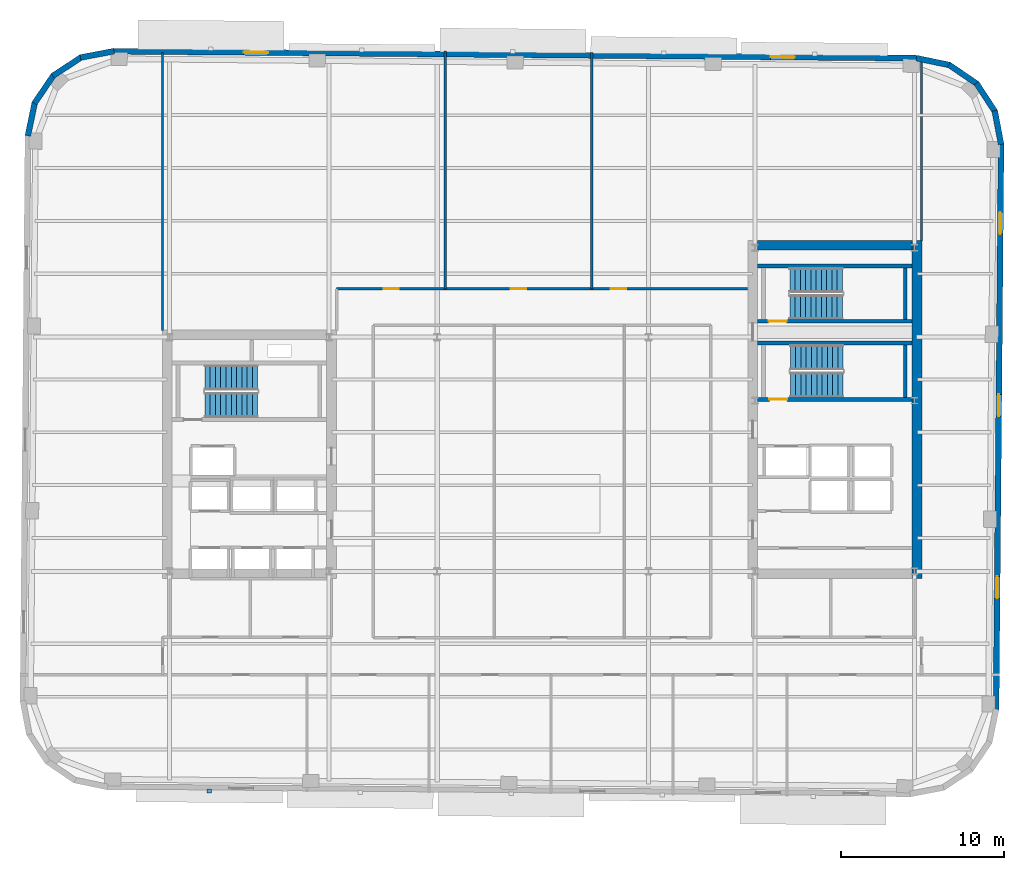
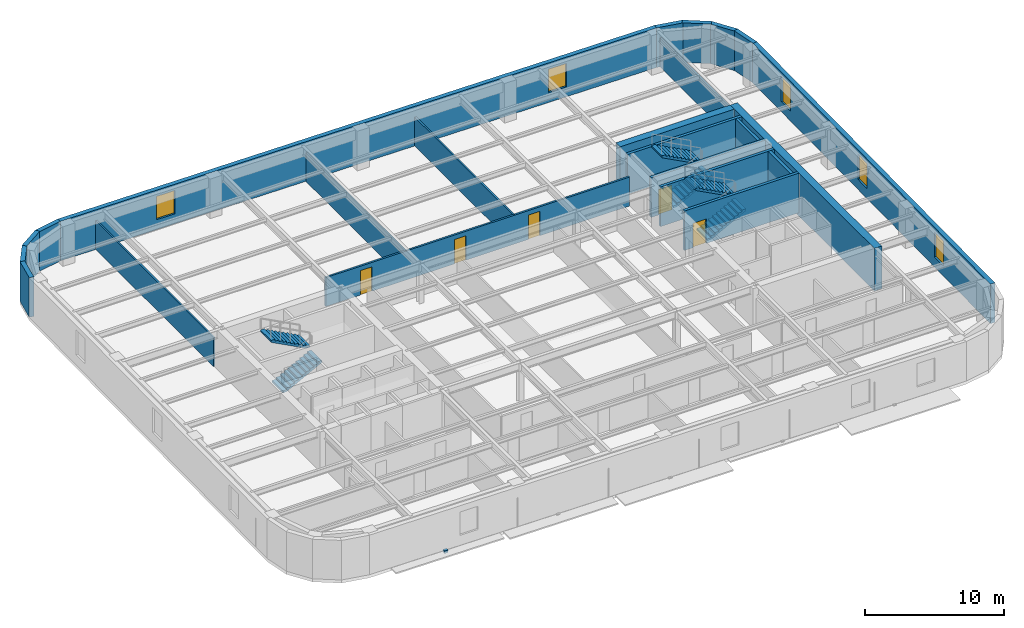
# One storey, part 6 of 11: 23 walls, 6 stair flights, 5 doors, 5 windows, 1 discrete accessory, 10 openings, 3 elements without a shape of their own.
"""IFC4 building model written with IfcOpenShell, lengths in metres."""

from ifc_helpers import new_model, si_unit, direction, frame, frame_2d, origin, origin_2d, place, context, subcontext, project, spatial, polyline, rectangle, outline, extrude, material, layer, layer_set, type_object, element, fill, aggregate, save


model = new_model("IFC4")

# Units and contexts
model_context = context("Model", 3, precision=1e-05, world=origin(), true_north=direction((0.0, 1.0)))
body_context = subcontext(model_context, "Body", "Model", "MODEL_VIEW")
ifc_project = project(units=[si_unit("LENGTHUNIT", "METRE"), si_unit("AREAUNIT", "SQUARE_METRE"), si_unit("VOLUMEUNIT", "CUBIC_METRE"), si_unit("PLANEANGLEUNIT", "RADIAN"), si_unit("MASSUNIT", "GRAM", prefix="KILO")], contexts=[model_context])

# Site, building, storey
site_placement = place(None, origin())
site = spatial("IfcSite", under=ifc_project, at=site_placement, CompositionType="ELEMENT")
building_placement = place(site_placement, origin())
building = spatial("IfcBuilding", under=site, at=building_placement, Name="Kolvaren Arena Tower", CompositionType="ELEMENT")
storey_placement = place(building_placement, frame((0.0, 0.0, 195.949951171875)))
storey = spatial("IfcBuildingStorey", under=building, at=storey_placement, Name="L47", CompositionType="ELEMENT", Elevation=195.949951171875)

# Wall, openings, doors
ifc_material_1 = material(Name="Gypsum board acoustic assembly", Category="gypsum")
ifc_layer_1 = layer(ifc_material_1, 0.159912109375)
ifc_layer_set_1 = layer_set([ifc_layer_1], Name="Gypsum board acoustic assembly")
wall_type_1 = type_object("IfcWallType", Name="CORR-160", PredefinedType="PARTITIONING", material=ifc_layer_set_1)
wall_1_placement = place(storey_placement, frame((24.820068359375, 36.820068359375, 0.0), z_axis=(0.0, 0.0, 1.0), x_axis=(1.0, 0.0, 0.0)))
wall_1 = element("IfcWall", 1, at=wall_1_placement, inside=storey, type_object=wall_type_1, Name="Interior Partition Wall (L47)", PredefinedType="PARTITIONING", context=body_context, shape_type="SweptSolid", body=[
    extrude(rectangle(XDim=25.260009765625, YDim=0.159912109375, at=frame_2d((12.6298828125, 0.0))), origin(), (0.0, 0.0, 1.0), 2.5400390625),
])
opening_1_placement = place(wall_1_placement, frame((2.8798828125, 0.0, 0.0)))
opening_1 = element("IfcOpeningElement", 2, at=opening_1_placement, cuts=wall_1, Name="Opening D05", PredefinedType="OPENING", context=body_context, shape_type="SweptSolid", body=[
    extrude(rectangle(XDim=0.949951171875, YDim=2.14990234375, at=frame_2d((0.47509765625, 1.074951171875))), frame((0.0, 0.08984375, 0.0), z_axis=(0.0, -1.0, 0.0), x_axis=(1.0, 0.0, 0.0)), (0.0, 0.0, 1.0), 0.179931640625),
])
opening_2_placement = place(wall_1_placement, frame((10.705078125, 0.0, 0.0)))
opening_2 = element("IfcOpeningElement", 3, at=opening_2_placement, cuts=wall_1, Name="Opening D05", PredefinedType="OPENING", context=body_context, shape_type="SweptSolid", body=[
    extrude(rectangle(XDim=0.949951171875, YDim=2.14990234375, at=frame_2d((0.47509765625, 1.074951171875))), frame((0.0, 0.08984375, 0.0), z_axis=(0.0, -1.0, 0.0), x_axis=(1.0, 0.0, 0.0)), (0.0, 0.0, 1.0), 0.179931640625),
])
opening_3_placement = place(wall_1_placement, frame((16.85498046875, 0.0, 0.0)))
opening_3 = element("IfcOpeningElement", 4, at=opening_3_placement, cuts=wall_1, Name="Opening D05", PredefinedType="OPENING", context=body_context, shape_type="SweptSolid", body=[
    extrude(rectangle(XDim=0.949951171875, YDim=2.14990234375, at=frame_2d((0.47509765625, 1.074951171875))), frame((0.0, 0.08984375, 0.0), z_axis=(0.0, -1.0, 0.0), x_axis=(1.0, 0.0, 0.0)), (0.0, 0.0, 1.0), 0.179931640625),
])
ifc_material_2 = material(Name="Solid-core oak acoustic office door", Category="wood")
door_type_1 = type_object("IfcDoorType", Name="DOOR-OF-095", OperationType="NOTDEFINED", PredefinedType="DOOR", material=ifc_material_2)
door_1_placement = place(opening_1_placement, origin())
door_1 = element("IfcDoor", 5, at=door_1_placement, inside=storey, type_object=door_type_1, Name="Design Studio Door (L47)", OperationType="SINGLE_SWING_LEFT", OverallHeight=2.14990234375, OverallWidth=0.949951171875, PredefinedType="DOOR", context=body_context, shape_type="SweptSolid", body=[
    extrude(rectangle(XDim=0.949951171875, YDim=2.14990234375, at=frame_2d((0.47509765625, 1.074951171875))), frame((0.0, 0.02490234375, 0.0), z_axis=(0.0, -1.0, 0.0), x_axis=(1.0, 0.0, 0.0)), (0.0, 0.0, 1.0), 0.050048828125),
])
fill(opening_1, door_1)
door_2_placement = place(opening_2_placement, origin())
door_2 = element("IfcDoor", 6, at=door_2_placement, inside=storey, type_object=door_type_1, Name="Open Plan Office Door (L47)", OperationType="SINGLE_SWING_RIGHT", OverallHeight=2.14990234375, OverallWidth=0.949951171875, PredefinedType="DOOR", context=body_context, shape_type="SweptSolid", body=[
    extrude(rectangle(XDim=0.949951171875, YDim=2.14990234375, at=frame_2d((0.47509765625, 1.074951171875))), frame((0.0, 0.02490234375, 0.0), z_axis=(0.0, -1.0, 0.0), x_axis=(1.0, 0.0, 0.0)), (0.0, 0.0, 1.0), 0.050048828125),
])
fill(opening_2, door_2)
door_3_placement = place(opening_3_placement, origin())
door_3 = element("IfcDoor", 7, at=door_3_placement, inside=storey, type_object=door_type_1, Name="Design Studio Door (L47)", OperationType="SINGLE_SWING_LEFT", OverallHeight=2.14990234375, OverallWidth=0.949951171875, PredefinedType="DOOR", context=body_context, shape_type="SweptSolid", body=[
    extrude(rectangle(XDim=0.949951171875, YDim=2.14990234375, at=frame_2d((0.47509765625, 1.074951171875))), frame((0.0, 0.02490234375, 0.0), z_axis=(0.0, -1.0, 0.0), x_axis=(1.0, 0.0, 0.0)), (0.0, 0.0, 1.0), 0.050048828125),
])
fill(opening_3, door_3)

# Walls
ifc_material_3 = material(Name="Concrete 60 MPa", Category="concrete")
ifc_layer_2 = layer(ifc_material_3, 0.60009765625)
ifc_layer_set_2 = layer_set([ifc_layer_2], Name="Concrete 60 MPa")
wall_type_2 = type_object("IfcWallType", Name="CWALL-600", PredefinedType="SHEAR", material=ifc_layer_set_2)
wall_2_placement = place(storey_placement, frame((60.5, 19.0, -0.27001953125), z_axis=(0.0, 0.0, 1.0), x_axis=(0.0, 1.0, 0.0)))
element("IfcWall", 8, at=wall_2_placement, inside=storey, type_object=wall_type_2, Name="Core Shear Wall EC-EAST (L47)", PredefinedType="SHEAR", context=body_context, shape_type="SweptSolid", body=[
    extrude(rectangle(XDim=20.800048828125, YDim=0.60009765625, at=frame_2d((10.39990234375, 0.0))), origin(), (0.0, 0.0, 1.0), 3.75),
])
wall_3_placement = place(storey_placement, frame((50.699951171875, 39.5, -0.27001953125), z_axis=(0.0, 0.0, 1.0), x_axis=(1.0, 0.0, 0.0)))
element("IfcWall", 9, at=wall_3_placement, inside=storey, type_object=wall_type_2, Name="Core Shear Wall EC-NORTH (L47)", PredefinedType="SHEAR", context=body_context, shape_type="SweptSolid", body=[
    extrude(rectangle(XDim=9.5, YDim=0.60009765625, at=frame_2d((4.75, 0.0))), origin(), (0.0, 0.0, 1.0), 3.75),
])

# Wall, openings, windows
ifc_material_4 = material(Name="Precast concrete C50/60", Category="concrete")
ifc_layer_3 = layer(ifc_material_4, 0.360107421875)
ifc_layer_set_3 = layer_set([ifc_layer_3], Name="Precast concrete C50/60")
wall_type_3 = type_object("IfcWallType", Name="EXT-PIER2", PredefinedType="SOLIDWALL", material=ifc_layer_set_3)
wall_4_placement = place(storey_placement, frame((65.670654296875, 45.73828125, 0.0), z_axis=(0.0, 0.0, 1.0), x_axis=(-0.008727348535, -0.999961915969, 0.0)))
wall_4 = element("IfcWall", 10, at=wall_4_placement, inside=storey, type_object=wall_type_3, Name="Exterior Precast Masonry-Frame Wall (L47)", PredefinedType="SOLIDWALL", context=body_context, shape_type="SweptSolid", body=[
    extrude(rectangle(XDim=34.7998046875, YDim=0.360107421875, at=frame_2d((17.39990234375, 0.0))), origin(), (0.0, 0.0, 1.0), 3.47998046875),
])
opening_4_placement = place(wall_4_placement, frame((4.199951171875, 0.0, 0.8798828125)))
opening_4 = element("IfcOpeningElement", 11, at=opening_4_placement, cuts=wall_4, Name="Opening W04", PredefinedType="OPENING", context=body_context, shape_type="SweptSolid", body=[
    extrude(rectangle(XDim=1.35009765625, YDim=2.199951171875, at=frame_2d((0.675048828125, 1.10009765625))), frame((0.0, 0.18994140625, 0.0), z_axis=(0.0, -1.0, 0.0), x_axis=(1.0, 0.0, 0.0)), (0.0, 0.0, 1.0), 0.380126953125),
])
opening_5_placement = place(wall_4_placement, frame((15.39990234375, 0.0, 0.8798828125)))
opening_5 = element("IfcOpeningElement", 12, at=opening_5_placement, cuts=wall_4, Name="Opening W04", PredefinedType="OPENING", context=body_context, shape_type="SweptSolid", body=[
    extrude(rectangle(XDim=1.35009765625, YDim=2.199951171875, at=frame_2d((0.675048828125, 1.10009765625))), frame((0.0, 0.18994140625, 0.0), z_axis=(0.0, -1.0, 0.0), x_axis=(1.0, 0.0, 0.0)), (0.0, 0.0, 1.0), 0.380126953125),
])
opening_6_placement = place(wall_4_placement, frame((26.60009765625, 0.0, 0.8798828125)))
opening_6 = element("IfcOpeningElement", 13, at=opening_6_placement, cuts=wall_4, Name="Opening W04", PredefinedType="OPENING", context=body_context, shape_type="SweptSolid", body=[
    extrude(rectangle(XDim=1.35009765625, YDim=2.199951171875, at=frame_2d((0.675048828125, 1.10009765625))), frame((0.0, 0.18994140625, 0.0), z_axis=(0.0, -1.0, 0.0), x_axis=(1.0, 0.0, 0.0)), (0.0, 0.0, 1.0), 0.380126953125),
])
ifc_material_5 = material(Name="Triple-glazed curved-facet corner window", Category="glass")
window_type_1 = type_object("IfcWindowType", Name="WIN-CRN-A", PartitioningType="SINGLE_PANEL", PredefinedType="WINDOW", material=ifc_material_5)
window_1_placement = place(opening_4_placement, origin())
window_1 = element("IfcWindow", 14, at=window_1_placement, inside=storey, type_object=window_type_1, Name="End-Wall Punched Window (L47)", OverallHeight=2.199951171875, OverallWidth=1.35009765625, PartitioningType="SINGLE_PANEL", PredefinedType="WINDOW", context=body_context, shape_type="SweptSolid", body=[
    extrude(rectangle(XDim=1.35009765625, YDim=2.199951171875, at=frame_2d((0.675048828125, 1.10009765625))), frame((0.0, 0.030029296875, 0.0), z_axis=(0.0, -1.0, 0.0), x_axis=(1.0, 0.0, 0.0)), (0.0, 0.0, 1.0), 0.06005859375),
])
fill(opening_4, window_1)
window_2_placement = place(opening_5_placement, origin())
window_2 = element("IfcWindow", 15, at=window_2_placement, inside=storey, type_object=window_type_1, Name="End-Wall Punched Window (L47)", OverallHeight=2.199951171875, OverallWidth=1.35009765625, PartitioningType="SINGLE_PANEL", PredefinedType="WINDOW", context=body_context, shape_type="SweptSolid", body=[
    extrude(rectangle(XDim=1.35009765625, YDim=2.199951171875, at=frame_2d((0.675048828125, 1.10009765625))), frame((0.0, 0.030029296875, 0.0), z_axis=(0.0, -1.0, 0.0), x_axis=(1.0, 0.0, 0.0)), (0.0, 0.0, 1.0), 0.06005859375),
])
fill(opening_5, window_2)
window_3_placement = place(opening_6_placement, origin())
window_3 = element("IfcWindow", 16, at=window_3_placement, inside=storey, type_object=window_type_1, Name="End-Wall Punched Window (L47)", OverallHeight=2.199951171875, OverallWidth=1.35009765625, PartitioningType="SINGLE_PANEL", PredefinedType="WINDOW", context=body_context, shape_type="SweptSolid", body=[
    extrude(rectangle(XDim=1.35009765625, YDim=2.199951171875, at=frame_2d((0.675048828125, 1.10009765625))), frame((0.0, 0.030029296875, 0.0), z_axis=(0.0, -1.0, 0.0), x_axis=(1.0, 0.0, 0.0)), (0.0, 0.0, 1.0), 0.06005859375),
])
fill(opening_6, window_3)

# Walls
wall_5_placement = place(storey_placement, frame((65.281005859375, 47.773193359375, 0.0), z_axis=(0.0, 0.0, 1.0), x_axis=(0.186435855703, -0.98246713518, 0.0)))
element("IfcWall", 17, at=wall_5_placement, inside=storey, type_object=wall_type_3, Name="Exterior Precast Masonry-Frame Wall (L47)", PredefinedType="SOLIDWALL", context=body_context, shape_type="SweptSolid", body=[
    extrude(rectangle(XDim=2.10693359375, YDim=0.360107421875, at=frame_2d((1.053466796875, 0.0))), origin(), (0.0, 0.0, 1.0), 3.47998046875),
])
wall_6_placement = place(storey_placement, frame((64.152099609375, 49.469970703125, 0.0), z_axis=(0.0, 0.0, 1.0), x_axis=(0.548238722478, -0.83632188969, 0.0)))
element("IfcWall", 18, at=wall_6_placement, inside=storey, type_object=wall_type_3, Name="Exterior Precast Masonry-Frame Wall (L47)", PredefinedType="SOLIDWALL", context=body_context, shape_type="SweptSolid", body=[
    extrude(rectangle(XDim=2.106689453125, YDim=0.360107421875, at=frame_2d((1.05322265625, 0.0))), origin(), (0.0, 0.0, 1.0), 3.47998046875),
])
wall_7_placement = place(storey_placement, frame((62.45947265625, 50.605712890625, 0.0), z_axis=(0.0, 0.0, 1.0), x_axis=(0.826609569219, -0.56277581689, 0.0)))
element("IfcWall", 19, at=wall_7_placement, inside=storey, type_object=wall_type_3, Name="Exterior Precast Masonry-Frame Wall (L47)", PredefinedType="SOLIDWALL", context=body_context, shape_type="SweptSolid", body=[
    extrude(rectangle(XDim=2.10693359375, YDim=0.360107421875, at=frame_2d((1.053466796875, 0.0))), origin(), (0.0, 0.0, 1.0), 3.47998046875),
])
wall_8_placement = place(storey_placement, frame((60.461181640625, 51.00732421875, 0.0), z_axis=(0.0, 0.0, 1.0), x_axis=(0.979059388908, -0.203574833883, 0.0)))
element("IfcWall", 20, at=wall_8_placement, inside=storey, type_object=wall_type_3, Name="Exterior Precast Masonry-Frame Wall (L47)", PredefinedType="SOLIDWALL", context=body_context, shape_type="SweptSolid", body=[
    extrude(rectangle(XDim=2.107177734375, YDim=0.360107421875, at=frame_2d((1.0537109375, 0.0))), origin(), (0.0, 0.0, 1.0), 3.47998046875),
])

# Wall, openings, windows
wall_9_placement = place(storey_placement, frame((11.098388671875, 51.434814453125, 0.0), z_axis=(0.0, 0.0, 1.0), x_axis=(0.99996191194, -0.008727810138, 0.0)))
wall_9 = element("IfcWall", 21, at=wall_9_placement, inside=storey, type_object=wall_type_3, Name="Exterior Precast Masonry-Frame Wall (L47)", PredefinedType="SOLIDWALL", context=body_context, shape_type="SweptSolid", body=[
    extrude(rectangle(XDim=49.39990234375, YDim=0.360107421875, at=frame_2d((24.699951171875, 0.0))), origin(), (0.0, 0.0, 1.0), 3.47998046875),
])
opening_7_placement = place(wall_9_placement, frame((8.0, 0.0, 0.8798828125)))
opening_7 = element("IfcOpeningElement", 22, at=opening_7_placement, cuts=wall_9, Name="Opening W03", PredefinedType="OPENING", context=body_context, shape_type="SweptSolid", body=[
    extrude(rectangle(XDim=1.5, YDim=2.050048828125, at=frame_2d((0.75, 1.02490234375))), frame((0.0, 0.18994140625, 0.0), z_axis=(0.0, -1.0, 0.0), x_axis=(1.0, 0.0, 0.0)), (0.0, 0.0, 1.0), 0.380126953125),
])
opening_8_placement = place(wall_9_placement, frame((40.39990234375, 0.0, 0.8798828125)))
opening_8 = element("IfcOpeningElement", 23, at=opening_8_placement, cuts=wall_9, Name="Opening W03", PredefinedType="OPENING", context=body_context, shape_type="SweptSolid", body=[
    extrude(rectangle(XDim=1.5, YDim=2.050048828125, at=frame_2d((0.75, 1.02490234375))), frame((0.0, 0.18994140625, 0.0), z_axis=(0.0, -1.0, 0.0), x_axis=(1.0, 0.0, 0.0)), (0.0, 0.0, 1.0), 0.380126953125),
])
ifc_material_6 = material(Name="Triple-glazed low-E aluminium window", Category="aluminium")
window_type_2 = type_object("IfcWindowType", Name="WIN-OFF-C", PartitioningType="SINGLE_PANEL", PredefinedType="WINDOW", material=ifc_material_6)
window_4_placement = place(opening_7_placement, origin())
window_4 = element("IfcWindow", 24, at=window_4_placement, inside=storey, type_object=window_type_2, Name="Punched Precast-Pier Window (L47)", OverallHeight=2.050048828125, OverallWidth=1.5, PartitioningType="SINGLE_PANEL", PredefinedType="WINDOW", context=body_context, shape_type="SweptSolid", body=[
    extrude(rectangle(XDim=1.5, YDim=2.050048828125, at=frame_2d((0.75, 1.02490234375))), frame((0.0, 0.030029296875, 0.0), z_axis=(0.0, -1.0, 0.0), x_axis=(1.0, 0.0, 0.0)), (0.0, 0.0, 1.0), 0.06005859375),
])
fill(opening_7, window_4)
window_5_placement = place(opening_8_placement, origin())
window_5 = element("IfcWindow", 25, at=window_5_placement, inside=storey, type_object=window_type_2, Name="Punched Precast-Pier Window (L47)", OverallHeight=2.050048828125, OverallWidth=1.5, PartitioningType="SINGLE_PANEL", PredefinedType="WINDOW", context=body_context, shape_type="SweptSolid", body=[
    extrude(rectangle(XDim=1.5, YDim=2.050048828125, at=frame_2d((0.75, 1.02490234375))), frame((0.0, 0.030029296875, 0.0), z_axis=(0.0, -1.0, 0.0), x_axis=(1.0, 0.0, 0.0)), (0.0, 0.0, 1.0), 0.06005859375),
])
fill(opening_8, window_5)

# Walls
wall_10_placement = place(storey_placement, frame((9.0634765625, 51.044921875, 0.0), z_axis=(0.0, 0.0, 1.0), x_axis=(0.982445905584, 0.186547695246, 0.0)))
element("IfcWall", 26, at=wall_10_placement, inside=storey, type_object=wall_type_3, Name="Exterior Precast Masonry-Frame Wall (L47)", PredefinedType="SOLIDWALL", context=body_context, shape_type="SweptSolid", body=[
    extrude(rectangle(XDim=2.107177734375, YDim=0.360107421875, at=frame_2d((1.0537109375, 0.0))), origin(), (0.0, 0.0, 1.0), 3.47998046875),
])
for number, where, z_axis, x_axis, name in (
    (27, (7.36669921875, 49.916015625, 0.0), (0.0, 0.0, 1.0), (0.836268756678, 0.548319766745, 0.0), "Exterior Precast Masonry-Frame Wall (L47)"),
    (28, (6.23095703125, 48.223388671875, 0.0), (0.0, 0.0, 1.0), (0.56277581689, 0.826609569219, 0.0), "Exterior Precast Masonry-Frame Wall (L47)"),
    (29, (5.8291015625, 46.225341796875, 0.0), (0.0, 0.0, 1.0), (0.203709000552, 0.979031482177, 0.0), "Exterior Precast Masonry-Frame Wall (L47)"),
):
    element("IfcWall", number, at=place(storey_placement, frame(where, z_axis=z_axis, x_axis=x_axis)), inside=storey, type_object=wall_type_3, Name=name, PredefinedType="SOLIDWALL", context=body_context, shape_type="SweptSolid", body=[
        extrude(rectangle(XDim=2.10693359375, YDim=0.360107421875, at=frame_2d((1.053466796875, 0.0))), origin(), (0.0, 0.0, 1.0), 3.47998046875),
    ])
ifc_material_7 = material(Name="Gypsum board partition assembly", Category="gypsum")
ifc_layer_4 = layer(ifc_material_7, 0.135009765625)
ifc_layer_set_4 = layer_set([ifc_layer_4], Name="Gypsum board partition assembly")
wall_type_4 = type_object("IfcWallType", Name="PART-135", PredefinedType="PARTITIONING", material=ifc_layer_set_4)
wall_11_placement = place(storey_placement, frame((31.5, 36.820068359375, 0.0), z_axis=(0.0, 0.0, 1.0), x_axis=(0.0, 1.0, 0.0)))
element("IfcWall", 30, at=wall_11_placement, inside=storey, type_object=wall_type_4, Name="Interior Partition Wall (L47)", PredefinedType="PARTITIONING", context=body_context, shape_type="SweptSolid", body=[
    extrude(rectangle(XDim=14.61669921875, YDim=0.135009765625, at=frame_2d((7.308349609375, 0.0))), origin(), (0.0, 0.0, 1.0), 2.5400390625),
])
wall_12_placement = place(storey_placement, frame((40.5, 36.820068359375, 0.0), z_axis=(0.0, 0.0, 1.0), x_axis=(0.0, 1.0, 0.0)))
element("IfcWall", 31, at=wall_12_placement, inside=storey, type_object=wall_type_4, Name="Interior Partition Wall (L47)", PredefinedType="PARTITIONING", context=body_context, shape_type="SweptSolid", body=[
    extrude(rectangle(XDim=14.5380859375, YDim=0.135009765625, at=frame_2d((7.26904296875, 0.0))), origin(), (0.0, 0.0, 1.0), 2.5400390625),
])
wall_13_placement = place(storey_placement, frame((14.1201171875, 34.25, 0.0), z_axis=(0.0, 0.0, 1.0), x_axis=(0.0, 1.0, 0.0)))
element("IfcWall", 32, at=wall_13_placement, inside=storey, type_object=wall_type_4, Name="Interior Partition Wall (L47)", PredefinedType="PARTITIONING", context=body_context, shape_type="SweptSolid", body=[
    extrude(rectangle(XDim=17.098388671875, YDim=0.135009765625, at=frame_2d((8.54931640625, 0.0))), origin(), (0.0, 0.0, 1.0), 2.5400390625),
])
wall_14_placement = place(storey_placement, frame((60.780029296875, 39.75, 0.0), z_axis=(0.0, 0.0, 1.0), x_axis=(0.0, 1.0, 0.0)))
element("IfcWall", 33, at=wall_14_placement, inside=storey, type_object=wall_type_4, Name="Interior Partition Wall (L47)", PredefinedType="PARTITIONING", context=body_context, shape_type="SweptSolid", body=[
    extrude(rectangle(XDim=11.1298828125, YDim=0.135009765625, at=frame_2d((5.56494140625, 0.0))), origin(), (0.0, 0.0, 1.0), 2.5400390625),
])

# Wall, opening, door
ifc_material_8 = material(Name="Concrete 45 MPa", Category="concrete")
ifc_layer_5 = layer(ifc_material_8, 0.25)
ifc_layer_set_5 = layer_set([ifc_layer_5], Name="Concrete 45 MPa")
wall_type_5 = type_object("IfcWallType", Name="SHAFT-250", PredefinedType="SOLIDWALL", material=ifc_layer_set_5)
wall_15_placement = place(storey_placement, frame((60.199951171875, 30.030029296875, 0.0), z_axis=(0.0, 0.0, 1.0), x_axis=(-1.0, 0.0, 0.0)))
wall_15 = element("IfcWall", 34, at=wall_15_placement, inside=storey, type_object=wall_type_5, Name="Core Shaft Wall (L47)", PredefinedType="SOLIDWALL", context=body_context, shape_type="SweptSolid", body=[
    extrude(rectangle(XDim=9.5, YDim=0.239990234375, at=frame_2d((4.75, 0.0))), origin(), (0.0, 0.0, 1.0), 3.47998046875),
])
opening_9_placement = place(wall_15_placement, frame((7.679931640625, 0.0, 0.0)))
opening_9 = element("IfcOpeningElement", 35, at=opening_9_placement, cuts=wall_15, Name="Opening D03", PredefinedType="OPENING", context=body_context, shape_type="SweptSolid", body=[
    extrude(rectangle(XDim=1.10009765625, YDim=2.14990234375, at=frame_2d((0.550048828125, 1.074951171875))), frame((0.0, 0.1298828125, 0.0), z_axis=(0.0, -1.0, 0.0), x_axis=(1.0, 0.0, 0.0)), (0.0, 0.0, 1.0), 0.260009765625),
])
ifc_material_9 = material(Name="Fire-rated steel exit stair door", Category="steel")
door_type_2 = type_object("IfcDoorType", Name="DOOR-ST-110", OperationType="NOTDEFINED", PredefinedType="DOOR", material=ifc_material_9)
door_4_placement = place(opening_9_placement, origin())
door_4 = element("IfcDoor", 36, at=door_4_placement, inside=storey, type_object=door_type_2, Name="Stair ST-E1 Fire Door (L47)", OperationType="SINGLE_SWING_LEFT", OverallHeight=2.14990234375, OverallWidth=1.10009765625, PredefinedType="DOOR", context=body_context, shape_type="SweptSolid", body=[
    extrude(rectangle(XDim=1.10009765625, YDim=2.14990234375, at=frame_2d((0.550048828125, 1.074951171875))), frame((0.0, 0.02490234375, 0.0), z_axis=(0.0, -1.0, 0.0), x_axis=(1.0, 0.0, 0.0)), (0.0, 0.0, 1.0), 0.050048828125),
])
fill(opening_9, door_4)

# Walls
wall_16_placement = place(storey_placement, frame((50.699951171875, 33.5, 0.0), z_axis=(0.0, 0.0, 1.0), x_axis=(1.0, 0.0, 0.0)))
element("IfcWall", 37, at=wall_16_placement, inside=storey, type_object=wall_type_5, Name="Core Shaft Wall (L47)", PredefinedType="SOLIDWALL", context=body_context, shape_type="SweptSolid", body=[
    extrude(rectangle(XDim=9.5, YDim=0.239990234375, at=frame_2d((4.75, 0.0))), origin(), (0.0, 0.0, 1.0), 3.47998046875),
])
wall_17_placement = place(storey_placement, frame((59.780029296875, 30.14990234375, 0.0), z_axis=(0.0, 0.0, 1.0), x_axis=(0.0, 1.0, 0.0)))
element("IfcWall", 38, at=wall_17_placement, inside=storey, type_object=wall_type_5, Name="Core Shaft Wall (L47)", PredefinedType="SOLIDWALL", context=body_context, shape_type="SweptSolid", body=[
    extrude(rectangle(XDim=3.22998046875, YDim=0.239990234375, at=frame_2d((1.614990234375, 0.0))), origin(), (0.0, 0.0, 1.0), 3.47998046875),
])

# Wall, opening, door
wall_18_placement = place(storey_placement, frame((60.199951171875, 34.830078125, 0.0), z_axis=(0.0, 0.0, 1.0), x_axis=(-1.0, 0.0, 0.0)))
wall_18 = element("IfcWall", 39, at=wall_18_placement, inside=storey, type_object=wall_type_5, Name="Core Shaft Wall (L47)", PredefinedType="SOLIDWALL", context=body_context, shape_type="SweptSolid", body=[
    extrude(rectangle(XDim=9.5, YDim=0.239990234375, at=frame_2d((4.75, 0.0))), origin(), (0.0, 0.0, 1.0), 3.47998046875),
])
opening_10_placement = place(wall_18_placement, frame((7.719970703125, 0.0, 0.0)))
opening_10 = element("IfcOpeningElement", 40, at=opening_10_placement, cuts=wall_18, Name="Opening D03", PredefinedType="OPENING", context=body_context, shape_type="SweptSolid", body=[
    extrude(rectangle(XDim=1.10009765625, YDim=2.14990234375, at=frame_2d((0.550048828125, 1.074951171875))), frame((0.0, 0.1298828125, 0.0), z_axis=(0.0, -1.0, 0.0), x_axis=(1.0, 0.0, 0.0)), (0.0, 0.0, 1.0), 0.260009765625),
])
door_5_placement = place(opening_10_placement, origin())
door_5 = element("IfcDoor", 41, at=door_5_placement, inside=storey, type_object=door_type_2, Name="Stair ST-E2 Fire Door (L47)", OperationType="SINGLE_SWING_LEFT", OverallHeight=2.14990234375, OverallWidth=1.10009765625, PredefinedType="DOOR", context=body_context, shape_type="SweptSolid", body=[
    extrude(rectangle(XDim=1.10009765625, YDim=2.14990234375, at=frame_2d((0.550048828125, 1.074951171875))), frame((0.0, 0.02490234375, 0.0), z_axis=(0.0, -1.0, 0.0), x_axis=(1.0, 0.0, 0.0)), (0.0, 0.0, 1.0), 0.050048828125),
])
fill(opening_10, door_5)

# Walls
wall_19_placement = place(storey_placement, frame((50.699951171875, 38.219970703125, 0.0), z_axis=(0.0, 0.0, 1.0), x_axis=(1.0, 0.0, 0.0)))
element("IfcWall", 42, at=wall_19_placement, inside=storey, type_object=wall_type_5, Name="Core Shaft Wall (L47)", PredefinedType="SOLIDWALL", context=body_context, shape_type="SweptSolid", body=[
    extrude(rectangle(XDim=9.5, YDim=0.239990234375, at=frame_2d((4.75, 0.0))), origin(), (0.0, 0.0, 1.0), 3.47998046875),
])
wall_20_placement = place(storey_placement, frame((59.780029296875, 34.949951171875, 0.0), z_axis=(0.0, 0.0, 1.0), x_axis=(0.0, 1.0, 0.0)))
element("IfcWall", 43, at=wall_20_placement, inside=storey, type_object=wall_type_5, Name="Core Shaft Wall (L47)", PredefinedType="SOLIDWALL", context=body_context, shape_type="SweptSolid", body=[
    extrude(rectangle(XDim=3.150146484375, YDim=0.239990234375, at=frame_2d((1.5751953125, 0.0))), origin(), (0.0, 0.0, 1.0), 3.47998046875),
])

# Stair, stair flights
stair_type_1 = type_object("IfcStairType", Name="STAIR-CORE-150", PredefinedType="HALF_TURN_STAIR", material=ifc_material_8)
stair_1_placement = place(storey_placement, origin())
stair_1 = element("IfcStair", 44, at=stair_1_placement, inside=storey, type_object=stair_type_1, Name="L47 ST-E2", PredefinedType="HALF_TURN_STAIR")
stair_flight_type_1 = type_object("IfcStairFlightType", Name="FLT-150", PredefinedType="STRAIGHT", material=ifc_material_8)
stair_flight_1_placement = place(storey_placement, frame((52.679931640625, 35.699951171875, 0.0), z_axis=(0.0, 0.0, 1.0), x_axis=(1.0, 0.0, 0.0)))
stair_flight_1 = element("IfcStairFlight", 45, at=stair_flight_1_placement, type_object=stair_flight_type_1, Name="ST-E2 flight 1", NumberOfRisers=11, NumberOfTreads=10, PredefinedType="STRAIGHT", RiserHeight=0.170454545, TreadLength=0.324, context=body_context, shape_type="SweptSolid", body=[
    extrude(outline(polyline([(0.0, 0.0), (0.0, 0.17041015625), (0.323974609375, 0.17041015625), (0.323974609375, 0.3408203125), (0.64794921875, 0.3408203125), (0.64794921875, 0.511474609375), (0.971923828125, 0.511474609375), (0.971923828125, 0.681884765625), (1.2958984375, 0.681884765625), (1.2958984375, 0.852294921875), (1.6201171875, 0.852294921875), (1.6201171875, 1.022705078125), (1.944091796875, 1.022705078125), (1.944091796875, 1.193115234375), (2.26806640625, 1.193115234375), (2.26806640625, 1.363525390625), (2.592041015625, 1.363525390625), (2.592041015625, 1.5341796875), (2.916015625, 1.5341796875), (2.916015625, 1.70458984375), (3.239990234375, 1.70458984375), (3.239990234375, 1.875), (3.239990234375, 1.53515625), (0.322021484375, 0.0), (0.0, 0.0)])), frame((0.0, 0.75, 0.0), z_axis=(0.0, -1.0, 0.0), x_axis=(1.0, 0.0, 0.0)), (0.0, 0.0, 1.0), 1.5),
])
stair_flight_2_placement = place(storey_placement, frame((55.919921875, 37.35009765625, 1.875), z_axis=(0.0, 0.0, 1.0), x_axis=(-1.0, 0.0, 0.0)))
stair_flight_2 = element("IfcStairFlight", 46, at=stair_flight_2_placement, type_object=stair_flight_type_1, Name="ST-E2 flight 2", NumberOfRisers=11, NumberOfTreads=10, PredefinedType="STRAIGHT", RiserHeight=0.170454545, TreadLength=0.324, context=body_context, shape_type="SweptSolid", body=[
    extrude(outline(polyline([(0.0, 0.0), (0.0, 0.17041015625), (0.323974609375, 0.17041015625), (0.323974609375, 0.3408203125), (0.64794921875, 0.3408203125), (0.64794921875, 0.511474609375), (0.971923828125, 0.511474609375), (0.971923828125, 0.681884765625), (1.2958984375, 0.681884765625), (1.2958984375, 0.852294921875), (1.6201171875, 0.852294921875), (1.6201171875, 1.022705078125), (1.944091796875, 1.022705078125), (1.944091796875, 1.193115234375), (2.26806640625, 1.193115234375), (2.26806640625, 1.363525390625), (2.592041015625, 1.363525390625), (2.592041015625, 1.5341796875), (2.916015625, 1.5341796875), (2.916015625, 1.70458984375), (3.239990234375, 1.70458984375), (3.239990234375, 1.875), (3.239990234375, 1.53515625), (0.322021484375, 0.0), (0.0, 0.0)])), frame((0.0, 0.75, 0.0), z_axis=(0.0, -1.0, 0.0), x_axis=(1.0, 0.0, 0.0)), (0.0, 0.0, 1.0), 1.5),
])
aggregate(stair_1, [stair_flight_1, stair_flight_2])

stair_type_2 = type_object("IfcStairType", Name="STAIR-CORE-165", PredefinedType="HALF_TURN_STAIR", material=ifc_material_8)
stair_2_placement = place(storey_placement, origin())
stair_2 = element("IfcStair", 47, at=stair_2_placement, inside=storey, type_object=stair_type_2, Name="L47 ST-W1", PredefinedType="HALF_TURN_STAIR")
stair_flight_type_2 = type_object("IfcStairFlightType", Name="FLT-165", PredefinedType="STRAIGHT", material=ifc_material_8)
stair_flight_3_placement = place(storey_placement, frame((16.719970703125, 29.669921875, 0.0), z_axis=(0.0, 0.0, 1.0), x_axis=(1.0, 0.0, 0.0)))
stair_flight_3 = element("IfcStairFlight", 48, at=stair_flight_3_placement, type_object=stair_flight_type_2, Name="ST-W1 flight 1", NumberOfRisers=11, NumberOfTreads=10, PredefinedType="STRAIGHT", RiserHeight=0.170454545, TreadLength=0.324, context=body_context, shape_type="SweptSolid", body=[
    extrude(outline(polyline([(0.0, 0.0), (0.0, 0.17041015625), (0.323974609375, 0.17041015625), (0.323974609375, 0.3408203125), (0.64794921875, 0.3408203125), (0.64794921875, 0.511474609375), (0.971923828125, 0.511474609375), (0.971923828125, 0.681884765625), (1.2958984375, 0.681884765625), (1.2958984375, 0.852294921875), (1.6201171875, 0.852294921875), (1.6201171875, 1.022705078125), (1.944091796875, 1.022705078125), (1.944091796875, 1.193115234375), (2.26806640625, 1.193115234375), (2.26806640625, 1.363525390625), (2.592041015625, 1.363525390625), (2.592041015625, 1.5341796875), (2.916015625, 1.5341796875), (2.916015625, 1.70458984375), (3.239990234375, 1.70458984375), (3.239990234375, 1.875), (3.239990234375, 1.53515625), (0.322021484375, 0.0), (0.0, 0.0)])), frame((0.0, 0.77001953125, 0.0), z_axis=(0.0, -1.0, 0.0), x_axis=(1.0, 0.0, 0.0)), (0.0, 0.0, 1.0), 1.5400390625),
])
stair_flight_4_placement = place(storey_placement, frame((19.9599609375, 31.360107421875, 1.875), z_axis=(0.0, 0.0, 1.0), x_axis=(-1.0, 0.0, 0.0)))
stair_flight_4 = element("IfcStairFlight", 49, at=stair_flight_4_placement, type_object=stair_flight_type_2, Name="ST-W1 flight 2", NumberOfRisers=11, NumberOfTreads=10, PredefinedType="STRAIGHT", RiserHeight=0.170454545, TreadLength=0.324, context=body_context, shape_type="SweptSolid", body=[
    extrude(outline(polyline([(0.0, 0.0), (0.0, 0.17041015625), (0.323974609375, 0.17041015625), (0.323974609375, 0.3408203125), (0.64794921875, 0.3408203125), (0.64794921875, 0.511474609375), (0.971923828125, 0.511474609375), (0.971923828125, 0.681884765625), (1.2958984375, 0.681884765625), (1.2958984375, 0.852294921875), (1.6201171875, 0.852294921875), (1.6201171875, 1.022705078125), (1.944091796875, 1.022705078125), (1.944091796875, 1.193115234375), (2.26806640625, 1.193115234375), (2.26806640625, 1.363525390625), (2.592041015625, 1.363525390625), (2.592041015625, 1.5341796875), (2.916015625, 1.5341796875), (2.916015625, 1.70458984375), (3.239990234375, 1.70458984375), (3.239990234375, 1.875), (3.239990234375, 1.53515625), (0.322021484375, 0.0), (0.0, 0.0)])), frame((0.0, 0.77001953125, 0.0), z_axis=(0.0, -1.0, 0.0), x_axis=(1.0, 0.0, 0.0)), (0.0, 0.0, 1.0), 1.5400390625),
])
aggregate(stair_2, [stair_flight_3, stair_flight_4])

stair_3_placement = place(storey_placement, origin())
stair_3 = element("IfcStair", 50, at=stair_3_placement, inside=storey, type_object=stair_type_2, Name="L47 ST-E1", PredefinedType="HALF_TURN_STAIR")
stair_flight_5_placement = place(storey_placement, frame((52.719970703125, 30.919921875, 0.0), z_axis=(0.0, 0.0, 1.0), x_axis=(1.0, 0.0, 0.0)))
stair_flight_5 = element("IfcStairFlight", 51, at=stair_flight_5_placement, type_object=stair_flight_type_2, Name="ST-E1 flight 1", NumberOfRisers=11, NumberOfTreads=10, PredefinedType="STRAIGHT", RiserHeight=0.170454545, TreadLength=0.324, context=body_context, shape_type="SweptSolid", body=[
    extrude(outline(polyline([(0.0, 0.0), (0.0, 0.17041015625), (0.323974609375, 0.17041015625), (0.323974609375, 0.3408203125), (0.64794921875, 0.3408203125), (0.64794921875, 0.511474609375), (0.971923828125, 0.511474609375), (0.971923828125, 0.681884765625), (1.2958984375, 0.681884765625), (1.2958984375, 0.852294921875), (1.6201171875, 0.852294921875), (1.6201171875, 1.022705078125), (1.944091796875, 1.022705078125), (1.944091796875, 1.193115234375), (2.26806640625, 1.193115234375), (2.26806640625, 1.363525390625), (2.592041015625, 1.363525390625), (2.592041015625, 1.5341796875), (2.916015625, 1.5341796875), (2.916015625, 1.70458984375), (3.239990234375, 1.70458984375), (3.239990234375, 1.875), (3.239990234375, 1.53515625), (0.322021484375, 0.0), (0.0, 0.0)])), frame((0.0, 0.77001953125, 0.0), z_axis=(0.0, -1.0, 0.0), x_axis=(1.0, 0.0, 0.0)), (0.0, 0.0, 1.0), 1.5400390625),
])
stair_flight_6_placement = place(storey_placement, frame((55.9599609375, 32.610107421875, 1.875), z_axis=(0.0, 0.0, 1.0), x_axis=(-1.0, 0.0, 0.0)))
stair_flight_6 = element("IfcStairFlight", 52, at=stair_flight_6_placement, type_object=stair_flight_type_2, Name="ST-E1 flight 2", NumberOfRisers=11, NumberOfTreads=10, PredefinedType="STRAIGHT", RiserHeight=0.170454545, TreadLength=0.324, context=body_context, shape_type="SweptSolid", body=[
    extrude(outline(polyline([(0.0, 0.0), (0.0, 0.17041015625), (0.323974609375, 0.17041015625), (0.323974609375, 0.3408203125), (0.64794921875, 0.3408203125), (0.64794921875, 0.511474609375), (0.971923828125, 0.511474609375), (0.971923828125, 0.681884765625), (1.2958984375, 0.681884765625), (1.2958984375, 0.852294921875), (1.6201171875, 0.852294921875), (1.6201171875, 1.022705078125), (1.944091796875, 1.022705078125), (1.944091796875, 1.193115234375), (2.26806640625, 1.193115234375), (2.26806640625, 1.363525390625), (2.592041015625, 1.363525390625), (2.592041015625, 1.5341796875), (2.916015625, 1.5341796875), (2.916015625, 1.70458984375), (3.239990234375, 1.70458984375), (3.239990234375, 1.875), (3.239990234375, 1.53515625), (0.322021484375, 0.0), (0.0, 0.0)])), frame((0.0, 0.77001953125, 0.0), z_axis=(0.0, -1.0, 0.0), x_axis=(1.0, 0.0, 0.0)), (0.0, 0.0, 1.0), 1.5400390625),
])
aggregate(stair_3, [stair_flight_5, stair_flight_6])

# Discrete accessory
ifc_material_10 = material(Name="Stainless steel facade support bracket", Category="steel")
discrete_accessory_type = type_object("IfcDiscreteAccessoryType", Name="ACC-BRKT-1", PredefinedType="BRACKET", material=ifc_material_10)
discrete_accessory_placement = place(storey_placement, frame((16.99169921875, 5.94140625, -0.18017578125), z_axis=(0.0, 0.0, 1.0), x_axis=(-0.999961923064, 0.008726535498, 0.0)))
element("IfcDiscreteAccessory", 53, at=discrete_accessory_placement, inside=storey, type_object=discrete_accessory_type, Name="Sunshade Support Bracket (L47)", PredefinedType="BRACKET", context=body_context, shape_type="SweptSolid", body=[
    extrude(rectangle(XDim=0.280029296875, YDim=0.239990234375, at=origin_2d()), origin(), (0.0, 0.0, 1.0), 0.239990234375),
])

save(model, "model.ifc")
